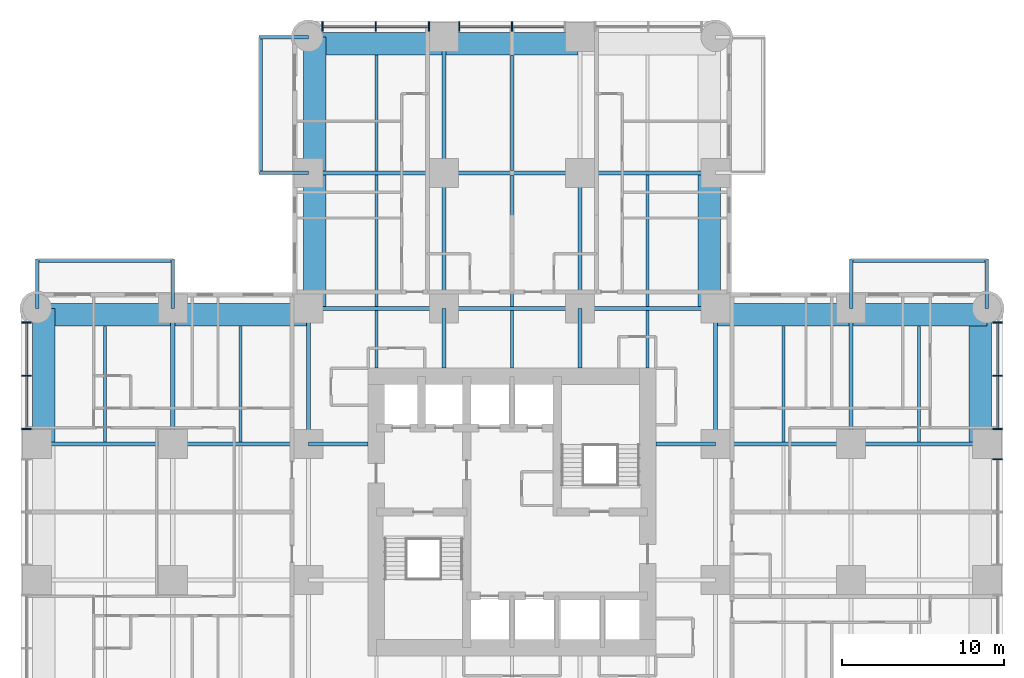
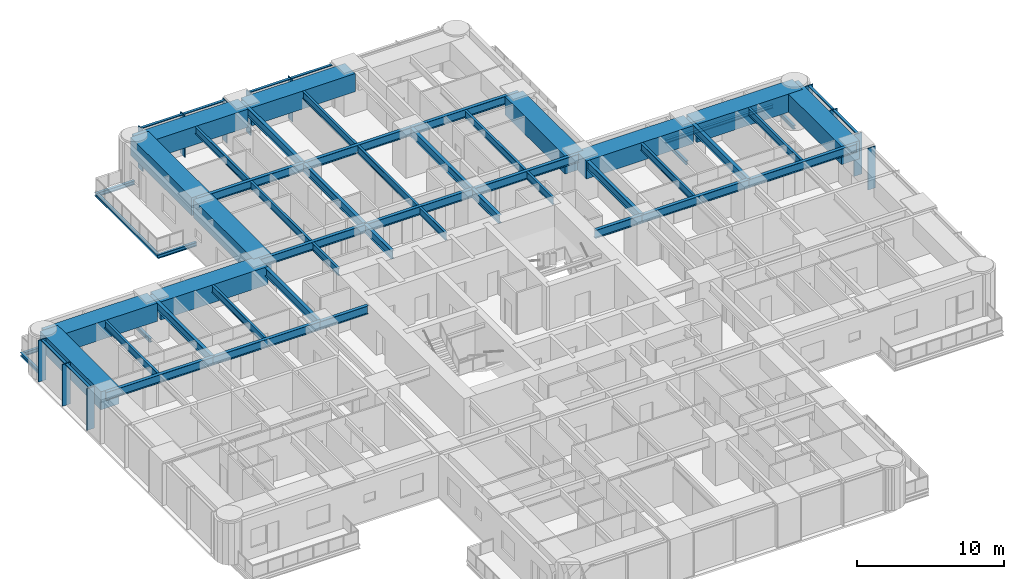
# One storey, part 4 of 17: 53 beams, 20 members, 3 elements without a shape of their own.
"""IFC4 building model written with IfcOpenShell, lengths in metres."""

import ifcopenshell
import ifcopenshell.guid

model = None  # the IFC model being written
_history = None  # IfcOwnerHistory: only IFC2X3 demands one
_inside = {}  # id of a spatial element -> (the spatial element, [elements in it])
_under = {}  # id of a project, library or spatial element -> (it, [spatial elements below it])
_declared = {}  # id of a project -> (the project, [libraries it declares])
_typed = {}  # id of a type object -> (the type object, [elements of that type])
_made_of = {}  # id of a material, layer set ... -> (it, [elements and type objects made of it])


def new_model(schema):
    """Start an empty IFC model of exactly this schema.

    Asked for "IFC4X3", IfcOpenShell would pick the latest addendum, in which some entities
    have other attributes; the version numbers below select the first issue.
    IFC2X3 requires an IfcOwnerHistory on every rooted entity: one is made here for all.
    """
    global model, _history
    if schema == "IFC4X3":
        model = ifcopenshell.file(schema_version=(4, 3, 0, 0))
    else:
        model = ifcopenshell.file(schema=schema)
    _inside.clear()
    _under.clear()
    _declared.clear()
    _typed.clear()
    _made_of.clear()
    _history = None
    if model.schema == "IFC2X3":
        org = make("IfcOrganization", Name="unknown")
        user = make(
            "IfcPersonAndOrganization",
            ThePerson=make("IfcPerson", FamilyName="unknown"),
            TheOrganization=org,
        )
        app = make(
            "IfcApplication",
            ApplicationDeveloper=org,
            Version="unknown",
            ApplicationFullName="unknown",
            ApplicationIdentifier="unknown",
        )
        _history = make(
            "IfcOwnerHistory",
            OwningUser=user,
            OwningApplication=app,
            ChangeAction="ADDED",
            CreationDate=0,
        )
    return model


def make(cls, **values):
    """One entity of the class cls with the attributes given. An attribute that is None is left unset."""
    return model.create_entity(
        cls, **{name: value for name, value in values.items() if value is not None}
    )


def rooted(cls, **values):
    """An entity with a GlobalId (a new one), such as an element, a storey or a relation."""
    return make(cls, GlobalId=ifcopenshell.guid.new(), OwnerHistory=_history, **values)


def si_unit(unit_type, name, prefix=None):
    """IfcSIUnit, for example si_unit("LENGTHUNIT", "METRE", prefix="MILLI")."""
    return make("IfcSIUnit", UnitType=unit_type, Prefix=prefix, Name=name)


def assignment(units):
    """IfcUnitAssignment: the units of a project."""
    return None if units is None else make("IfcUnitAssignment", Units=units)


def point(xyz):
    """IfcCartesianPoint."""
    return None if xyz is None else make("IfcCartesianPoint", Coordinates=xyz)


def direction(xyz):
    """IfcDirection."""
    return None if xyz is None else make("IfcDirection", DirectionRatios=xyz)


def frame(location, z_axis=None, x_axis=None):
    """IfcAxis2Placement3D, a coordinate frame: its origin and axes. An axis left out is left unset."""
    return make(
        "IfcAxis2Placement3D",
        Location=point(location),
        Axis=direction(z_axis),
        RefDirection=direction(x_axis),
    )


def frame_2d(location, x_axis=None):
    """IfcAxis2Placement2D, a coordinate frame in the plane: its origin and x axis."""
    return make(
        "IfcAxis2Placement2D", Location=point(location), RefDirection=direction(x_axis)
    )


def origin():
    """The frame at (0, 0, 0) with its axes left unset."""
    return frame((0.0, 0.0, 0.0))


def origin_2d():
    """The frame at (0, 0) in the plane with its x axis left unset."""
    return frame_2d((0.0, 0.0))


def place(relative_to, where):
    """IfcLocalPlacement: puts the frame where relative to a parent placement (None: the world)."""
    return make(
        "IfcLocalPlacement", PlacementRelTo=relative_to, RelativePlacement=where
    )


def context(
    kind, dimensions, precision=None, world=None, true_north=None, identifier=None
):
    """IfcGeometricRepresentationContext, for example the 3D "Model" context."""
    return make(
        "IfcGeometricRepresentationContext",
        ContextIdentifier=identifier,
        ContextType=kind,
        CoordinateSpaceDimension=dimensions,
        Precision=precision,
        WorldCoordinateSystem=world,
        TrueNorth=true_north,
    )


def subcontext(parent, identifier, kind, view, scale=None):
    """IfcGeometricRepresentationSubContext, for example "Body" below "Model"."""
    return make(
        "IfcGeometricRepresentationSubContext",
        ContextIdentifier=identifier,
        ContextType=kind,
        ParentContext=parent,
        TargetScale=scale,
        TargetView=view,
    )


def project(units=None, contexts=None):
    """IfcProject with its units and contexts."""
    return rooted(
        "IfcProject",
        Name="project",
        RepresentationContexts=contexts,
        UnitsInContext=assignment(units),
    )


def spatial(cls, under=None, at=None, **own):
    """A site, building, storey or space (cls), placed at a placement, below another one or the project."""
    s = rooted(cls, ObjectPlacement=at, **own)
    if under is not None:
        _under.setdefault(under.id(), (under, []))[1].append(s)
    return s


def profile(cls, at=None, kind="AREA", **sizes):
    """A parametric profile (cls). Its sizes go by their IFC names, for example OverallWidth=200.0."""
    return make(cls, ProfileType=kind, Position=at, **sizes)


def rectangle(**sizes):
    """IfcRectangleProfileDef."""
    return profile("IfcRectangleProfileDef", **sizes)


def i_section(**sizes):
    """IfcIShapeProfileDef."""
    return profile("IfcIShapeProfileDef", **sizes)


def extrude(swept, where, along, depth):
    """IfcExtrudedAreaSolid: the profile swept, set in the frame where, extruded along a direction by depth."""
    return make(
        "IfcExtrudedAreaSolid",
        SweptArea=swept,
        Position=where,
        ExtrudedDirection=direction(along),
        Depth=depth,
    )


def shape(context_of_items, identifier, shape_type, items):
    """IfcShapeRepresentation: the items that make up one representation, for example the "Body"."""
    return make(
        "IfcShapeRepresentation",
        ContextOfItems=context_of_items,
        RepresentationIdentifier=identifier,
        RepresentationType=shape_type,
        Items=items,
    )


def material(Name=None, Category=None):
    """IfcMaterial."""
    return make("IfcMaterial", Name=Name, Category=Category)


def material_profile(
    of_material, cross_section, Name=None, Category=None, Priority=None
):
    """IfcMaterialProfile: a cross section and its material."""
    return make(
        "IfcMaterialProfile",
        Name=Name,
        Material=of_material,
        Profile=cross_section,
        Priority=Priority,
        Category=Category,
    )


def profile_set(profiles, Name=None, composite=None):
    """IfcMaterialProfileSet."""
    return make(
        "IfcMaterialProfileSet",
        Name=Name,
        MaterialProfiles=profiles,
        CompositeProfile=composite,
    )


def made_of(thing, what):
    """Note that an element or type object is made of a material, layer set ...; save() writes the relation."""
    if what is not None:
        _made_of.setdefault(what.id(), (what, []))[1].append(thing)
    return thing


def type_object(cls, material=None, **own):
    """A type object (cls), such as IfcWallType, which elements share."""
    return made_of(rooted(cls, **own), material)


def element(
    cls,
    number,
    at=None,
    inside=None,
    cuts=None,
    type_object=None,
    material=None,
    context=None,
    identifier="Body",
    shape_type=None,
    held_by="IfcProductDefinitionShape",
    body=None,
    shapes=None,
    **own,
):
    """One element of the class cls, such as IfcWall. Its Tag is "e" and its number.

    at: its placement. inside: the storey or other place that contains it. cuts: it is an
    opening in that element (IfcRelVoidsElement). A single representation is given by context,
    identifier, shape_type and body (its items); several are given by shapes. held_by: the class
    of the entity that holds the representations. save() writes the other relations.
    """
    e = rooted(cls, Tag="e%d" % number, ObjectPlacement=at, **own)
    if body is not None:
        shapes = [shape(context, identifier, shape_type, body)]
    if shapes is not None:
        e.Representation = make(held_by, Representations=shapes)
    if inside is not None:
        _inside.setdefault(inside.id(), (inside, []))[1].append(e)
    if cuts is not None:
        rooted(
            "IfcRelVoidsElement", RelatingBuildingElement=cuts, RelatedOpeningElement=e
        )
    if type_object is not None:
        _typed.setdefault(type_object.id(), (type_object, []))[1].append(e)
    return made_of(e, material)


def aggregate(whole, parts):
    """IfcRelAggregates: a whole, such as a stair, and the parts it consists of."""
    return rooted("IfcRelAggregates", RelatingObject=whole, RelatedObjects=parts)


def save(model, path):
    """Write the relations noted so far, then the file.

    IfcRelAggregates (storeys below a building ...), IfcRelContainedInSpatialStructure (elements
    in a storey), IfcRelDefinesByType, IfcRelAssociatesMaterial and IfcRelDeclares: one each for
    every whole, place, type object, material and project.
    """
    for whole, parts in _under.values():
        aggregate(whole, parts)
    for where, things in _inside.values():
        rooted(
            "IfcRelContainedInSpatialStructure",
            RelatedElements=things,
            RelatingStructure=where,
        )
    for kind, things in _typed.values():
        rooted("IfcRelDefinesByType", RelatedObjects=things, RelatingType=kind)
    for what, things in _made_of.values():
        rooted("IfcRelAssociatesMaterial", RelatedObjects=things, RelatingMaterial=what)
    for by, libraries in _declared.values():
        rooted("IfcRelDeclares", RelatingContext=by, RelatedDefinitions=libraries)
    model.write(path)


model = new_model("IFC4")

# Units and contexts
model_context = context("Model", 3, precision=1e-05, world=origin(), true_north=direction((0.0, 1.0)))
body_context = subcontext(model_context, "Body", "Model", "MODEL_VIEW")
ifc_project = project(units=[si_unit("LENGTHUNIT", "METRE"), si_unit("AREAUNIT", "SQUARE_METRE"), si_unit("VOLUMEUNIT", "CUBIC_METRE"), si_unit("PLANEANGLEUNIT", "RADIAN"), si_unit("MASSUNIT", "GRAM", prefix="KILO")], contexts=[model_context])

# Site, building, storey
site_placement = place(None, origin())
site = spatial("IfcSite", under=ifc_project, at=site_placement, CompositionType="ELEMENT")
building_placement = place(site_placement, origin())
building = spatial("IfcBuilding", under=site, at=building_placement, Name="Torre Alcanfor", CompositionType="ELEMENT")
storey_placement = place(building_placement, frame((0.0, 0.0, 92.10009765625)))
storey = spatial("IfcBuildingStorey", under=building, at=storey_placement, Name="L23", CompositionType="ELEMENT", Elevation=92.10009765625)

# Beams
ifc_material_1 = material(Name="Steel ASTM A992 Grade 50", Category="steel")
ifc_material_profile_1 = material_profile(ifc_material_1, i_section(OverallWidth=0.205322265625, OverallDepth=0.309814453125, WebThickness=0.00927734375, FlangeThickness=0.016357421875, at=origin_2d()), Name="W12x50")
ifc_profile_set_1 = profile_set([ifc_material_profile_1], Name="Steel ASTM A992 Grade 50")
beam_type_1 = type_object("IfcBeamType", Name="Balcony cantilever beam W12x50", PredefinedType="BEAM", material=ifc_profile_set_1)
for number, where, z_axis, x_axis, name in (
    (1, (16.800048828125, 50.39990234375, -0.35498046875), (-1.0, 0.0, 0.0), (0.0, -1.0, 0.0), "Balcony cantilever beam L23-N1 1"),
    (2, (16.800048828125, 58.800048828125, -0.35498046875), (-1.0, 0.0, 0.0), (0.0, -1.0, 0.0), "Balcony cantilever beam L23-N1 2"),
    (3, (50.39990234375, 42.0, -0.35498046875), (0.0, 1.0, 0.0), (-1.0, 0.0, 0.0), "Balcony cantilever beam L23-E1 1"),
    (4, (58.800048828125, 42.0, -0.35498046875), (0.0, 1.0, 0.0), (-1.0, 0.0, 0.0), "Balcony cantilever beam L23-E1 2"),
    (5, (8.39990234375, 42.0, -0.35498046875), (0.0, 1.0, 0.0), (-1.0, 0.0, 0.0), "Balcony cantilever beam L23-W2 1"),
    (6, (0.0, 42.0, -0.35498046875), (0.0, 1.0, 0.0), (-1.0, 0.0, 0.0), "Balcony cantilever beam L23-W2 2"),
):
    element("IfcBeam", number, at=place(storey_placement, frame(where, z_axis=z_axis, x_axis=x_axis)), inside=storey, type_object=beam_type_1, Name=name, PredefinedType="BEAM", context=body_context, shape_type="SweptSolid", body=[
        extrude(i_section(OverallWidth=0.205322265625, OverallDepth=0.309814453125, WebThickness=0.00927734375, FlangeThickness=0.016357421875, at=origin_2d()), origin(), (0.0, 0.0, 1.0), 3.050048828125),
    ])
ifc_material_2 = material(Name="Steel ASTM A992 Grade 50", Category="steel")
ifc_material_profile_2 = material_profile(ifc_material_2, i_section(OverallWidth=0.203369140625, OverallDepth=0.30224609375, WebThickness=0.007568359375, FlangeThickness=0.01318359375, at=origin_2d()), Name="W12x40")
ifc_profile_set_2 = profile_set([ifc_material_profile_2], Name="Steel ASTM A992 Grade 50")
beam_type_2 = type_object("IfcBeamType", Name="Balcony edge trimmer W12x40", PredefinedType="BEAM", material=ifc_profile_set_2)
for number, where, z_axis, x_axis, name in (
    (7, (13.851806640625, 50.39990234375, -0.351318359375), (0.0, 1.0, 0.0), (-1.0, 0.0, 0.0), "Balcony edge trimmer L23-N1"),
    (8, (50.39990234375, 44.9482421875, -0.351318359375), (1.0, 0.0, 0.0), (0.0, 1.0, 0.0), "Balcony edge trimmer L23-E1"),
):
    element("IfcBeam", number, at=place(storey_placement, frame(where, z_axis=z_axis, x_axis=x_axis)), inside=storey, type_object=beam_type_2, Name=name, PredefinedType="BEAM", context=body_context, shape_type="SweptSolid", body=[
        extrude(i_section(OverallWidth=0.203369140625, OverallDepth=0.30224609375, WebThickness=0.007568359375, FlangeThickness=0.01318359375, at=origin_2d()), origin(), (0.0, 0.0, 1.0), 8.400146484375),
    ])
beam_1_placement = place(storey_placement, frame((8.39990234375, 44.9482421875, -0.351318359375), z_axis=(-1.0, 0.0, 0.0), x_axis=(0.0, -1.0, 0.0)))
element("IfcBeam", 9, at=beam_1_placement, inside=storey, type_object=beam_type_2, Name="Balcony edge trimmer L23-W2", PredefinedType="BEAM", context=body_context, shape_type="SweptSolid", body=[
    extrude(i_section(OverallWidth=0.203369140625, OverallDepth=0.30224609375, WebThickness=0.007568359375, FlangeThickness=0.01318359375, at=origin_2d()), origin(), (0.0, 0.0, 1.0), 8.39990234375),
])

# Curtain wall, members
ifc_material_3 = material(Name="Aluminium and glass", Category="aluminium")
curtain_wall_type = type_object("IfcCurtainWallType", Name="CW-A unitised apartment glazing with vertical FIN", PredefinedType="NOTDEFINED", material=ifc_material_3)
curtain_wall_1_placement = place(storey_placement, origin())
curtain_wall_1 = element("IfcCurtainWall", 10, at=curtain_wall_1_placement, inside=storey, type_object=curtain_wall_type, Name="Curtain wall CW-A L23 2", PredefinedType="NOTDEFINED")
ifc_material_4 = material(Name="Bronze anodised aluminium", Category="aluminium")
ifc_material_profile_3 = material_profile(ifc_material_4, rectangle(XDim=0.60009765625, YDim=0.06494140625, at=origin_2d()), Name="CW-A mullion 65x600")
ifc_profile_set_3 = profile_set([ifc_material_profile_3], Name="Bronze anodised aluminium")
member_type_1 = type_object("IfcMemberType", Name="CW-A mullion with vertical FIN 65x600", PredefinedType="MULLION", material=ifc_profile_set_3)
member_1_placement = place(storey_placement, frame((-0.64990234375, 41.133056640625, 0.0), z_axis=(0.0, 0.0, 1.0), x_axis=(1.0, 0.0, 0.0)))
member_1 = element("IfcMember", 11, at=member_1_placement, type_object=member_type_1, Name="CW-A mullion 1.1", PredefinedType="MULLION", context=body_context, shape_type="SweptSolid", body=[
    extrude(rectangle(XDim=0.60009765625, YDim=0.06494140625, at=origin_2d()), origin(), (0.0, 0.0, 1.0), 3.449951171875),
])
member_2_placement = place(storey_placement, frame((-0.64990234375, 37.835205078125, 0.0), z_axis=(0.0, 0.0, 1.0), x_axis=(1.0, 0.0, 0.0)))
member_2 = element("IfcMember", 12, at=member_2_placement, type_object=member_type_1, Name="CW-A mullion 1.2", PredefinedType="MULLION", context=body_context, shape_type="SweptSolid", body=[
    extrude(rectangle(XDim=0.60009765625, YDim=0.06494140625, at=origin_2d()), origin(), (0.0, 0.0, 1.0), 3.449951171875),
])
member_3_placement = place(storey_placement, frame((-0.64990234375, 34.53759765625, 0.0), z_axis=(0.0, 0.0, 1.0), x_axis=(1.0, 0.0, 0.0)))
member_3 = element("IfcMember", 13, at=member_3_placement, type_object=member_type_1, Name="CW-A mullion 1.3", PredefinedType="MULLION", context=body_context, shape_type="SweptSolid", body=[
    extrude(rectangle(XDim=0.60009765625, YDim=0.06494140625, at=origin_2d()), origin(), (0.0, 0.0, 1.0), 3.449951171875),
])

curtain_wall_2_placement = place(storey_placement, origin())
curtain_wall_2 = element("IfcCurtainWall", 14, at=curtain_wall_2_placement, inside=storey, type_object=curtain_wall_type, Name="Curtain wall CW-A L23 8", PredefinedType="NOTDEFINED")
member_4_placement = place(storey_placement, frame((59.449951171875, 32.66259765625, 0.0), z_axis=(0.0, 0.0, 1.0), x_axis=(-1.0, 0.0, 0.0)))
member_4 = element("IfcMember", 15, at=member_4_placement, type_object=member_type_1, Name="CW-A mullion 2.3", PredefinedType="MULLION", context=body_context, shape_type="SweptSolid", body=[
    extrude(rectangle(XDim=0.60009765625, YDim=0.06494140625, at=origin_2d()), origin(), (0.0, 0.0, 1.0), 3.449951171875),
])
member_5_placement = place(storey_placement, frame((59.449951171875, 34.53759765625, 0.0), z_axis=(0.0, 0.0, 1.0), x_axis=(-1.0, 0.0, 0.0)))
member_5 = element("IfcMember", 16, at=member_5_placement, type_object=member_type_1, Name="CW-A mullion 3.1", PredefinedType="MULLION", context=body_context, shape_type="SweptSolid", body=[
    extrude(rectangle(XDim=0.60009765625, YDim=0.06494140625, at=origin_2d()), origin(), (0.0, 0.0, 1.0), 3.449951171875),
])
member_6_placement = place(storey_placement, frame((59.449951171875, 37.835205078125, 0.0), z_axis=(0.0, 0.0, 1.0), x_axis=(-1.0, 0.0, 0.0)))
member_6 = element("IfcMember", 17, at=member_6_placement, type_object=member_type_1, Name="CW-A mullion 3.2", PredefinedType="MULLION", context=body_context, shape_type="SweptSolid", body=[
    extrude(rectangle(XDim=0.60009765625, YDim=0.06494140625, at=origin_2d()), origin(), (0.0, 0.0, 1.0), 3.449951171875),
])
member_7_placement = place(storey_placement, frame((59.449951171875, 41.133056640625, 0.0), z_axis=(0.0, 0.0, 1.0), x_axis=(-1.0, 0.0, 0.0)))
member_7 = element("IfcMember", 18, at=member_7_placement, type_object=member_type_1, Name="CW-A mullion 3.3", PredefinedType="MULLION", context=body_context, shape_type="SweptSolid", body=[
    extrude(rectangle(XDim=0.60009765625, YDim=0.06494140625, at=origin_2d()), origin(), (0.0, 0.0, 1.0), 3.449951171875),
])

curtain_wall_3_placement = place(storey_placement, origin())
curtain_wall_3 = element("IfcCurtainWall", 19, at=curtain_wall_3_placement, inside=storey, type_object=curtain_wall_type, Name="Curtain wall CW-A L23 11", PredefinedType="NOTDEFINED")
member_8_placement = place(storey_placement, frame((29.39990234375, 59.449951171875, 0.0), z_axis=(0.0, 0.0, 1.0), x_axis=(0.0, -1.0, 0.0)))
member_8 = element("IfcMember", 20, at=member_8_placement, type_object=member_type_1, Name="CW-A mullion 2.2", PredefinedType="MULLION", context=body_context, shape_type="SweptSolid", body=[
    extrude(rectangle(XDim=0.60009765625, YDim=0.06494140625, at=origin_2d()), origin(), (0.0, 0.0, 1.0), 3.449951171875),
])
member_9_placement = place(storey_placement, frame((26.137451171875, 59.449951171875, 0.0), z_axis=(0.0, 0.0, 1.0), x_axis=(0.0, -1.0, 0.0)))
member_9 = element("IfcMember", 21, at=member_9_placement, type_object=member_type_1, Name="CW-A mullion 2.3", PredefinedType="MULLION", context=body_context, shape_type="SweptSolid", body=[
    extrude(rectangle(XDim=0.60009765625, YDim=0.06494140625, at=origin_2d()), origin(), (0.0, 0.0, 1.0), 3.449951171875),
])
member_10_placement = place(storey_placement, frame((24.262451171875, 59.449951171875, 0.0), z_axis=(0.0, 0.0, 1.0), x_axis=(0.0, -1.0, 0.0)))
member_10 = element("IfcMember", 22, at=member_10_placement, type_object=member_type_1, Name="CW-A mullion 3.1", PredefinedType="MULLION", context=body_context, shape_type="SweptSolid", body=[
    extrude(rectangle(XDim=0.60009765625, YDim=0.06494140625, at=origin_2d()), origin(), (0.0, 0.0, 1.0), 3.449951171875),
])
member_11_placement = place(storey_placement, frame((20.96484375, 59.449951171875, 0.0), z_axis=(0.0, 0.0, 1.0), x_axis=(0.0, -1.0, 0.0)))
member_11 = element("IfcMember", 23, at=member_11_placement, type_object=member_type_1, Name="CW-A mullion 3.2", PredefinedType="MULLION", context=body_context, shape_type="SweptSolid", body=[
    extrude(rectangle(XDim=0.60009765625, YDim=0.06494140625, at=origin_2d()), origin(), (0.0, 0.0, 1.0), 3.449951171875),
])
member_12_placement = place(storey_placement, frame((17.6669921875, 59.449951171875, 0.0), z_axis=(0.0, 0.0, 1.0), x_axis=(0.0, -1.0, 0.0)))
member_12 = element("IfcMember", 24, at=member_12_placement, type_object=member_type_1, Name="CW-A mullion 3.3", PredefinedType="MULLION", context=body_context, shape_type="SweptSolid", body=[
    extrude(rectangle(XDim=0.60009765625, YDim=0.06494140625, at=origin_2d()), origin(), (0.0, 0.0, 1.0), 3.449951171875),
])

# Member
ifc_material_5 = material(Name="Extruded aluminium", Category="aluminium")
ifc_material_profile_4 = material_profile(ifc_material_5, rectangle(XDim=0.199951171875, YDim=0.06494140625, at=origin_2d()), Name="CW-A transom 200x65")
ifc_profile_set_4 = profile_set([ifc_material_profile_4], Name="Extruded aluminium")
member_type_2 = type_object("IfcMemberType", Name="CW-A transom 65x200", PredefinedType="USERDEFINED", material=ifc_profile_set_4)
member_13_placement = place(storey_placement, frame((-0.64990234375, 41.1005859375, 3.41748046875), z_axis=(0.0, -1.0, 0.0), x_axis=(1.0, 0.0, 0.0)))
member_13 = element("IfcMember", 25, at=member_13_placement, type_object=member_type_2, Name="CW-A transom 1.1.2", ObjectType="TRANSOM", PredefinedType="USERDEFINED", context=body_context, shape_type="SweptSolid", body=[
    extrude(rectangle(XDim=0.199951171875, YDim=0.06494140625, at=origin_2d()), origin(), (0.0, 0.0, 1.0), 3.23291015625),
])

member_14_placement = place(storey_placement, frame((-0.64990234375, 37.802734375, 3.41748046875), z_axis=(0.0, -1.0, 0.0), x_axis=(1.0, 0.0, 0.0)))
member_14 = element("IfcMember", 26, at=member_14_placement, type_object=member_type_2, Name="CW-A transom 1.2.2", ObjectType="TRANSOM", PredefinedType="USERDEFINED", context=body_context, shape_type="SweptSolid", body=[
    extrude(rectangle(XDim=0.199951171875, YDim=0.06494140625, at=origin_2d()), origin(), (0.0, 0.0, 1.0), 3.232666015625),
])

aggregate(curtain_wall_1, [member_1, member_2, member_3, member_13, member_14])

member_15_placement = place(storey_placement, frame((59.449951171875, 34.570068359375, 3.41748046875), z_axis=(0.0, 1.0, 0.0), x_axis=(-1.0, 0.0, 0.0)))
member_15 = element("IfcMember", 27, at=member_15_placement, type_object=member_type_2, Name="CW-A transom 3.1.2", ObjectType="TRANSOM", PredefinedType="USERDEFINED", context=body_context, shape_type="SweptSolid", body=[
    extrude(rectangle(XDim=0.199951171875, YDim=0.06494140625, at=origin_2d()), origin(), (0.0, 0.0, 1.0), 3.232666015625),
])

member_16_placement = place(storey_placement, frame((59.449951171875, 37.86767578125, 3.41748046875), z_axis=(0.0, 1.0, 0.0), x_axis=(-1.0, 0.0, 0.0)))
member_16 = element("IfcMember", 28, at=member_16_placement, type_object=member_type_2, Name="CW-A transom 3.2.2", ObjectType="TRANSOM", PredefinedType="USERDEFINED", context=body_context, shape_type="SweptSolid", body=[
    extrude(rectangle(XDim=0.199951171875, YDim=0.06494140625, at=origin_2d()), origin(), (0.0, 0.0, 1.0), 3.23291015625),
])

aggregate(curtain_wall_2, [member_4, member_5, member_6, member_7, member_15, member_16])

member_17_placement = place(storey_placement, frame((32.6298828125, 59.449951171875, 3.41748046875), z_axis=(-1.0, 0.0, 0.0), x_axis=(0.0, -1.0, 0.0)))
member_17 = element("IfcMember", 29, at=member_17_placement, type_object=member_type_2, Name="CW-A transom 2.1.2", ObjectType="TRANSOM", PredefinedType="USERDEFINED", context=body_context, shape_type="SweptSolid", body=[
    extrude(rectangle(XDim=0.199951171875, YDim=0.06494140625, at=origin_2d()), origin(), (0.0, 0.0, 1.0), 3.197265625),
])

member_18_placement = place(storey_placement, frame((29.367431640625, 59.449951171875, 3.41748046875), z_axis=(-1.0, 0.0, 0.0), x_axis=(0.0, -1.0, 0.0)))
member_18 = element("IfcMember", 30, at=member_18_placement, type_object=member_type_2, Name="CW-A transom 2.2.2", ObjectType="TRANSOM", PredefinedType="USERDEFINED", context=body_context, shape_type="SweptSolid", body=[
    extrude(rectangle(XDim=0.199951171875, YDim=0.06494140625, at=origin_2d()), origin(), (0.0, 0.0, 1.0), 3.197509765625),
])

member_19_placement = place(storey_placement, frame((24.22998046875, 59.449951171875, 3.41748046875), z_axis=(-1.0, 0.0, 0.0), x_axis=(0.0, -1.0, 0.0)))
member_19 = element("IfcMember", 31, at=member_19_placement, type_object=member_type_2, Name="CW-A transom 3.1.2", ObjectType="TRANSOM", PredefinedType="USERDEFINED", context=body_context, shape_type="SweptSolid", body=[
    extrude(rectangle(XDim=0.199951171875, YDim=0.06494140625, at=origin_2d()), origin(), (0.0, 0.0, 1.0), 3.232666015625),
])

member_20_placement = place(storey_placement, frame((20.93212890625, 59.449951171875, 3.41748046875), z_axis=(-1.0, 0.0, 0.0), x_axis=(0.0, -1.0, 0.0)))
member_20 = element("IfcMember", 32, at=member_20_placement, type_object=member_type_2, Name="CW-A transom 3.2.2", ObjectType="TRANSOM", PredefinedType="USERDEFINED", context=body_context, shape_type="SweptSolid", body=[
    extrude(rectangle(XDim=0.199951171875, YDim=0.06494140625, at=origin_2d()), origin(), (0.0, 0.0, 1.0), 3.232666015625),
])

aggregate(curtain_wall_3, [member_8, member_9, member_17, member_18, member_10, member_11, member_12, member_19, member_20])

# Beams
ifc_material_6 = material(Name="Steel ASTM A992 Grade 50", Category="steel")
ifc_material_profile_5 = material_profile(ifc_material_6, i_section(OverallWidth=0.25390625, OverallDepth=0.683349609375, WebThickness=0.012451171875, FlangeThickness=0.01904296875, at=origin_2d()), Name="W27x94")
ifc_profile_set_5 = profile_set([ifc_material_profile_5], Name="Steel ASTM A992 Grade 50")
beam_type_3 = type_object("IfcBeamType", Name="Girder W27x94", PredefinedType="BEAM", material=ifc_profile_set_5)
beam_2_placement = place(storey_placement, frame((0.0, 33.60009765625, 3.108154296875), z_axis=(1.0, 0.0, 0.0), x_axis=(0.0, 1.0, 0.0)))
element("IfcBeam", 33, at=beam_2_placement, inside=storey, type_object=beam_type_3, Name="Beam 1G-2G under L24", PredefinedType="BEAM", context=body_context, shape_type="SweptSolid", body=[
    extrude(i_section(OverallWidth=0.25390625, OverallDepth=0.683349609375, WebThickness=0.012451171875, FlangeThickness=0.01904296875, at=origin_2d()), origin(), (0.0, 0.0, 1.0), 8.39990234375),
])
beam_3_placement = place(storey_placement, frame((8.39990234375, 33.60009765625, 3.108154296875), z_axis=(1.0, 0.0, 0.0), x_axis=(0.0, 1.0, 0.0)))
element("IfcBeam", 34, at=beam_3_placement, inside=storey, type_object=beam_type_3, Name="Beam 2G-3G under L24", PredefinedType="BEAM", context=body_context, shape_type="SweptSolid", body=[
    extrude(i_section(OverallWidth=0.25390625, OverallDepth=0.683349609375, WebThickness=0.012451171875, FlangeThickness=0.01904296875, at=origin_2d()), origin(), (0.0, 0.0, 1.0), 8.400146484375),
])
beam_4_placement = place(storey_placement, frame((42.0, 33.60009765625, 3.108154296875), z_axis=(1.0, 0.0, 0.0), x_axis=(0.0, 1.0, 0.0)))
element("IfcBeam", 35, at=beam_4_placement, inside=storey, type_object=beam_type_3, Name="Beam 6G-7G under L24", PredefinedType="BEAM", context=body_context, shape_type="SweptSolid", body=[
    extrude(i_section(OverallWidth=0.25390625, OverallDepth=0.683349609375, WebThickness=0.012451171875, FlangeThickness=0.01904296875, at=origin_2d()), origin(), (0.0, 0.0, 1.0), 8.39990234375),
])
beam_5_placement = place(storey_placement, frame((50.39990234375, 33.60009765625, 3.108154296875), z_axis=(1.0, 0.0, 0.0), x_axis=(0.0, 1.0, 0.0)))
element("IfcBeam", 36, at=beam_5_placement, inside=storey, type_object=beam_type_3, Name="Beam 7G-8G under L24", PredefinedType="BEAM", context=body_context, shape_type="SweptSolid", body=[
    extrude(i_section(OverallWidth=0.25390625, OverallDepth=0.683349609375, WebThickness=0.012451171875, FlangeThickness=0.01904296875, at=origin_2d()), origin(), (0.0, 0.0, 1.0), 8.400146484375),
])
beam_6_placement = place(storey_placement, frame((16.800048828125, 42.0, 3.108154296875), z_axis=(1.0, 0.0, 0.0), x_axis=(0.0, 1.0, 0.0)))
element("IfcBeam", 37, at=beam_6_placement, inside=storey, type_object=beam_type_3, Name="Beam 3H-4H under L24", PredefinedType="BEAM", context=body_context, shape_type="SweptSolid", body=[
    extrude(i_section(OverallWidth=0.25390625, OverallDepth=0.683349609375, WebThickness=0.012451171875, FlangeThickness=0.01904296875, at=origin_2d()), origin(), (0.0, 0.0, 1.0), 8.39990234375),
])
beam_7_placement = place(storey_placement, frame((25.199951171875, 42.0, 3.108154296875), z_axis=(1.0, 0.0, 0.0), x_axis=(0.0, 1.0, 0.0)))
element("IfcBeam", 38, at=beam_7_placement, inside=storey, type_object=beam_type_3, Name="Beam 4H-5H under L24", PredefinedType="BEAM", context=body_context, shape_type="SweptSolid", body=[
    extrude(i_section(OverallWidth=0.25390625, OverallDepth=0.683349609375, WebThickness=0.012451171875, FlangeThickness=0.01904296875, at=origin_2d()), origin(), (0.0, 0.0, 1.0), 8.400146484375),
])
for number, where, z_axis, x_axis, name in (
    (39, (33.60009765625, 42.0, 3.108154296875), (1.0, 0.0, 0.0), (0.0, 1.0, 0.0), "Beam 5H-6H under L24"),
    (40, (16.800048828125, 50.39990234375, 3.108154296875), (1.0, 0.0, 0.0), (0.0, 1.0, 0.0), "Beam 3J-4J under L24"),
):
    element("IfcBeam", number, at=place(storey_placement, frame(where, z_axis=z_axis, x_axis=x_axis)), inside=storey, type_object=beam_type_3, Name=name, PredefinedType="BEAM", context=body_context, shape_type="SweptSolid", body=[
        extrude(i_section(OverallWidth=0.25390625, OverallDepth=0.683349609375, WebThickness=0.012451171875, FlangeThickness=0.01904296875, at=origin_2d()), origin(), (0.0, 0.0, 1.0), 8.39990234375),
    ])
beam_8_placement = place(storey_placement, frame((25.199951171875, 50.39990234375, 3.108154296875), z_axis=(1.0, 0.0, 0.0), x_axis=(0.0, 1.0, 0.0)))
element("IfcBeam", 41, at=beam_8_placement, inside=storey, type_object=beam_type_3, Name="Beam 4J-5J under L24", PredefinedType="BEAM", context=body_context, shape_type="SweptSolid", body=[
    extrude(i_section(OverallWidth=0.25390625, OverallDepth=0.683349609375, WebThickness=0.012451171875, FlangeThickness=0.01904296875, at=origin_2d()), origin(), (0.0, 0.0, 1.0), 8.400146484375),
])
for number, where, z_axis, x_axis, name in (
    (42, (33.60009765625, 50.39990234375, 3.108154296875), (1.0, 0.0, 0.0), (0.0, 1.0, 0.0), "Beam 5J-6J under L24"),
    (43, (8.39990234375, 33.60009765625, 3.108154296875), (0.0, 1.0, 0.0), (-1.0, 0.0, 0.0), "Beam 2G-2H under L24"),
    (44, (16.800048828125, 33.60009765625, 3.108154296875), (0.0, 1.0, 0.0), (-1.0, 0.0, 0.0), "Beam 3G-3H under L24"),
    (45, (25.199951171875, 42.0, 3.108154296875), (0.0, 1.0, 0.0), (-1.0, 0.0, 0.0), "Beam 4H-4J under L24"),
):
    element("IfcBeam", number, at=place(storey_placement, frame(where, z_axis=z_axis, x_axis=x_axis)), inside=storey, type_object=beam_type_3, Name=name, PredefinedType="BEAM", context=body_context, shape_type="SweptSolid", body=[
        extrude(i_section(OverallWidth=0.25390625, OverallDepth=0.683349609375, WebThickness=0.012451171875, FlangeThickness=0.01904296875, at=origin_2d()), origin(), (0.0, 0.0, 1.0), 8.39990234375),
    ])
beam_9_placement = place(storey_placement, frame((25.199951171875, 50.39990234375, 3.108154296875), z_axis=(0.0, 1.0, 0.0), x_axis=(-1.0, 0.0, 0.0)))
element("IfcBeam", 46, at=beam_9_placement, inside=storey, type_object=beam_type_3, Name="Beam 4J-4K under L24", PredefinedType="BEAM", context=body_context, shape_type="SweptSolid", body=[
    extrude(i_section(OverallWidth=0.25390625, OverallDepth=0.683349609375, WebThickness=0.012451171875, FlangeThickness=0.01904296875, at=origin_2d()), origin(), (0.0, 0.0, 1.0), 8.400146484375),
])
for number, where, z_axis, x_axis, name in (
    (47, (33.60009765625, 42.0, 3.108154296875), (0.0, 1.0, 0.0), (-1.0, 0.0, 0.0), "Beam 5H-5J under L24"),
    (48, (42.0, 33.60009765625, 3.108154296875), (0.0, 1.0, 0.0), (-1.0, 0.0, 0.0), "Beam 6G-6H under L24"),
    (49, (50.39990234375, 33.60009765625, 3.108154296875), (0.0, 1.0, 0.0), (-1.0, 0.0, 0.0), "Beam 7G-7H under L24"),
):
    element("IfcBeam", number, at=place(storey_placement, frame(where, z_axis=z_axis, x_axis=x_axis)), inside=storey, type_object=beam_type_3, Name=name, PredefinedType="BEAM", context=body_context, shape_type="SweptSolid", body=[
        extrude(i_section(OverallWidth=0.25390625, OverallDepth=0.683349609375, WebThickness=0.012451171875, FlangeThickness=0.01904296875, at=origin_2d()), origin(), (0.0, 0.0, 1.0), 8.39990234375),
    ])
ifc_material_7 = material(Name="Steel ASTM A992 Grade 50", Category="steel")
ifc_material_profile_6 = material_profile(ifc_material_7, i_section(OverallWidth=0.25390625, OverallDepth=0.683349609375, WebThickness=0.012451171875, FlangeThickness=0.01904296875, at=origin_2d()), Name="W27x94")
ifc_profile_set_6 = profile_set([ifc_material_profile_6], Name="Steel ASTM A992 Grade 50")
beam_type_4 = type_object("IfcBeamType", Name="Girder, part bay W27x94", PredefinedType="BEAM", material=ifc_profile_set_6)
for number, where, z_axis, x_axis, name in (
    (50, (25.199951171875, 42.0, 3.108154296875), (0.0, -1.0, 0.0), (1.0, 0.0, 0.0), "Beam 4H-438_3 under L24"),
    (51, (33.60009765625, 42.0, 3.108154296875), (0.0, -1.0, 0.0), (1.0, 0.0, 0.0), "Beam 5H-538_3 under L24"),
    (52, (16.800048828125, 33.60009765625, 3.108154296875), (1.0, 0.0, 0.0), (0.0, 1.0, 0.0), "Beam 3G-20_5G under L24"),
    (53, (42.0, 33.60009765625, 3.108154296875), (-1.0, 0.0, 0.0), (0.0, -1.0, 0.0), "Beam 6G-38_3G under L24"),
):
    element("IfcBeam", number, at=place(storey_placement, frame(where, z_axis=z_axis, x_axis=x_axis)), inside=storey, type_object=beam_type_4, Name=name, PredefinedType="BEAM", context=body_context, shape_type="SweptSolid", body=[
        extrude(i_section(OverallWidth=0.25390625, OverallDepth=0.683349609375, WebThickness=0.012451171875, FlangeThickness=0.01904296875, at=origin_2d()), origin(), (0.0, 0.0, 1.0), 3.699951171875),
    ])
ifc_material_8 = material(Name="Concrete f'c 70 MPa", Category="concrete")
ifc_material_profile_7 = material_profile(ifc_material_8, rectangle(XDim=1.39990234375, YDim=1.5, at=origin_2d()), Name="1400x1500")
ifc_profile_set_7 = profile_set([ifc_material_profile_7], Name="Concrete f'c 70 MPa")
beam_type_5 = type_object("IfcBeamType", Name="RC perimeter beam 1400x1500", PredefinedType="BEAM", material=ifc_profile_set_7)
beam_10_placement = place(storey_placement, frame((0.0, 41.60009765625, 2.699951171875), z_axis=(1.0, 0.0, 0.0), x_axis=(0.0, 1.0, 0.0)))
element("IfcBeam", 54, at=beam_10_placement, inside=storey, type_object=beam_type_5, Name="Beam 1H-2H under L24", PredefinedType="BEAM", context=body_context, shape_type="SweptSolid", body=[
    extrude(rectangle(XDim=1.39990234375, YDim=1.5, at=origin_2d()), origin(), (0.0, 0.0, 1.0), 8.27294921875),
])
for number, where, z_axis, x_axis, name in (
    (55, (8.527099609375, 41.60009765625, 2.699951171875), (1.0, 0.0, 0.0), (0.0, 1.0, 0.0), "Beam 2H-3H under L24"),
    (56, (41.873046875, 41.60009765625, 2.699951171875), (1.0, 0.0, 0.0), (0.0, 1.0, 0.0), "Beam 6H-7H under L24"),
):
    element("IfcBeam", number, at=place(storey_placement, frame(where, z_axis=z_axis, x_axis=x_axis)), inside=storey, type_object=beam_type_5, Name=name, PredefinedType="BEAM", context=body_context, shape_type="SweptSolid", body=[
        extrude(rectangle(XDim=1.39990234375, YDim=1.5, at=origin_2d()), origin(), (0.0, 0.0, 1.0), 8.39990234375),
    ])
for number, where, z_axis, x_axis, name in (
    (57, (50.527099609375, 41.60009765625, 2.699951171875), (1.0, 0.0, 0.0), (0.0, 1.0, 0.0), "Beam 7H-8H under L24"),
    (58, (16.800048828125, 58.39990234375, 2.699951171875), (1.0, 0.0, 0.0), (0.0, 1.0, 0.0), "Beam 3K-4K under L24"),
):
    element("IfcBeam", number, at=place(storey_placement, frame(where, z_axis=z_axis, x_axis=x_axis)), inside=storey, type_object=beam_type_5, Name=name, PredefinedType="BEAM", context=body_context, shape_type="SweptSolid", body=[
        extrude(rectangle(XDim=1.39990234375, YDim=1.5, at=origin_2d()), origin(), (0.0, 0.0, 1.0), 8.27294921875),
    ])
beam_11_placement = place(storey_placement, frame((25.326904296875, 58.39990234375, 2.699951171875), z_axis=(1.0, 0.0, 0.0), x_axis=(0.0, 1.0, 0.0)))
element("IfcBeam", 59, at=beam_11_placement, inside=storey, type_object=beam_type_5, Name="Beam 4K-5K under L24", PredefinedType="BEAM", context=body_context, shape_type="SweptSolid", body=[
    extrude(rectangle(XDim=1.39990234375, YDim=1.5, at=origin_2d()), origin(), (0.0, 0.0, 1.0), 8.14599609375),
])
beam_12_placement = place(storey_placement, frame((0.39990234375, 33.72705078125, 2.699951171875), z_axis=(0.0, 1.0, 0.0), x_axis=(-1.0, 0.0, 0.0)))
element("IfcBeam", 60, at=beam_12_placement, inside=storey, type_object=beam_type_5, Name="Beam 1G-1H under L24", PredefinedType="BEAM", context=body_context, shape_type="SweptSolid", body=[
    extrude(rectangle(XDim=1.39990234375, YDim=1.5, at=origin_2d()), origin(), (0.0, 0.0, 1.0), 8.27294921875),
])
beam_13_placement = place(storey_placement, frame((17.199951171875, 42.126953125, 2.699951171875), z_axis=(0.0, 1.0, 0.0), x_axis=(-1.0, 0.0, 0.0)))
element("IfcBeam", 61, at=beam_13_placement, inside=storey, type_object=beam_type_5, Name="Beam 3H-3J under L24", PredefinedType="BEAM", context=body_context, shape_type="SweptSolid", body=[
    extrude(rectangle(XDim=1.39990234375, YDim=1.5, at=origin_2d()), origin(), (0.0, 0.0, 1.0), 8.14599609375),
])
beam_14_placement = place(storey_placement, frame((17.199951171875, 50.527099609375, 2.699951171875), z_axis=(0.0, 1.0, 0.0), x_axis=(-1.0, 0.0, 0.0)))
element("IfcBeam", 62, at=beam_14_placement, inside=storey, type_object=beam_type_5, Name="Beam 3J-3K under L24", PredefinedType="BEAM", context=body_context, shape_type="SweptSolid", body=[
    extrude(rectangle(XDim=1.39990234375, YDim=1.5, at=origin_2d()), origin(), (0.0, 0.0, 1.0), 8.27294921875),
])
beam_15_placement = place(storey_placement, frame((41.60009765625, 42.126953125, 2.699951171875), z_axis=(0.0, 1.0, 0.0), x_axis=(-1.0, 0.0, 0.0)))
element("IfcBeam", 63, at=beam_15_placement, inside=storey, type_object=beam_type_5, Name="Beam 6H-6J under L24", PredefinedType="BEAM", context=body_context, shape_type="SweptSolid", body=[
    extrude(rectangle(XDim=1.39990234375, YDim=1.5, at=origin_2d()), origin(), (0.0, 0.0, 1.0), 8.14599609375),
])
beam_16_placement = place(storey_placement, frame((58.39990234375, 33.72705078125, 2.699951171875), z_axis=(0.0, 1.0, 0.0), x_axis=(-1.0, 0.0, 0.0)))
element("IfcBeam", 64, at=beam_16_placement, inside=storey, type_object=beam_type_5, Name="Beam 8G-8H under L24", PredefinedType="BEAM", context=body_context, shape_type="SweptSolid", body=[
    extrude(rectangle(XDim=1.39990234375, YDim=1.5, at=origin_2d()), origin(), (0.0, 0.0, 1.0), 8.27294921875),
])
ifc_material_9 = material(Name="Steel ASTM A992 Grade 50", Category="steel")
ifc_material_profile_8 = material_profile(ifc_material_9, i_section(OverallWidth=0.1787109375, OverallDepth=0.60205078125, WebThickness=0.010986328125, FlangeThickness=0.014892578125, at=origin_2d()), Name="W24x62")
ifc_profile_set_8 = profile_set([ifc_material_profile_8], Name="Steel ASTM A992 Grade 50")
beam_type_6 = type_object("IfcBeamType", Name="Secondary beam W24x62", PredefinedType="BEAM", material=ifc_profile_set_8)
for number, where, z_axis, x_axis, name in (
    (65, (4.199951171875, 33.72705078125, 3.14892578125), (0.0, 1.0, 0.0), (-1.0, 0.0, 0.0), "Beam 4_2G-4_2H under L24"),
    (66, (12.60009765625, 33.72705078125, 3.14892578125), (0.0, 1.0, 0.0), (-1.0, 0.0, 0.0), "Beam 12_6G-12_6H under L24"),
):
    element("IfcBeam", number, at=place(storey_placement, frame(where, z_axis=z_axis, x_axis=x_axis)), inside=storey, type_object=beam_type_6, Name=name, PredefinedType="BEAM", context=body_context, shape_type="SweptSolid", body=[
        extrude(i_section(OverallWidth=0.1787109375, OverallDepth=0.60205078125, WebThickness=0.010986328125, FlangeThickness=0.014892578125, at=origin_2d()), origin(), (0.0, 0.0, 1.0), 7.1728515625),
    ])
beam_17_placement = place(storey_placement, frame((21.0, 42.126953125, 3.14892578125), z_axis=(0.0, 1.0, 0.0), x_axis=(-1.0, 0.0, 0.0)))
element("IfcBeam", 67, at=beam_17_placement, inside=storey, type_object=beam_type_6, Name="Beam 21H-21J under L24", PredefinedType="BEAM", context=body_context, shape_type="SweptSolid", body=[
    extrude(i_section(OverallWidth=0.1787109375, OverallDepth=0.60205078125, WebThickness=0.010986328125, FlangeThickness=0.014892578125, at=origin_2d()), origin(), (0.0, 0.0, 1.0), 8.14599609375),
])
beam_18_placement = place(storey_placement, frame((21.0, 50.527099609375, 3.14892578125), z_axis=(0.0, 1.0, 0.0), x_axis=(-1.0, 0.0, 0.0)))
element("IfcBeam", 68, at=beam_18_placement, inside=storey, type_object=beam_type_6, Name="Beam 21J-21K under L24", PredefinedType="BEAM", context=body_context, shape_type="SweptSolid", body=[
    extrude(i_section(OverallWidth=0.1787109375, OverallDepth=0.60205078125, WebThickness=0.010986328125, FlangeThickness=0.014892578125, at=origin_2d()), origin(), (0.0, 0.0, 1.0), 7.1728515625),
])
beam_19_placement = place(storey_placement, frame((29.39990234375, 42.126953125, 3.14892578125), z_axis=(0.0, 1.0, 0.0), x_axis=(-1.0, 0.0, 0.0)))
element("IfcBeam", 69, at=beam_19_placement, inside=storey, type_object=beam_type_6, Name="Beam 29_4H-29_4J under L24", PredefinedType="BEAM", context=body_context, shape_type="SweptSolid", body=[
    extrude(i_section(OverallWidth=0.1787109375, OverallDepth=0.60205078125, WebThickness=0.010986328125, FlangeThickness=0.014892578125, at=origin_2d()), origin(), (0.0, 0.0, 1.0), 8.14599609375),
])
beam_20_placement = place(storey_placement, frame((29.39990234375, 50.527099609375, 3.14892578125), z_axis=(0.0, 1.0, 0.0), x_axis=(-1.0, 0.0, 0.0)))
element("IfcBeam", 70, at=beam_20_placement, inside=storey, type_object=beam_type_6, Name="Beam 29_4J-29_4K under L24", PredefinedType="BEAM", context=body_context, shape_type="SweptSolid", body=[
    extrude(i_section(OverallWidth=0.1787109375, OverallDepth=0.60205078125, WebThickness=0.010986328125, FlangeThickness=0.014892578125, at=origin_2d()), origin(), (0.0, 0.0, 1.0), 7.1728515625),
])
beam_21_placement = place(storey_placement, frame((37.800048828125, 42.126953125, 3.14892578125), z_axis=(0.0, 1.0, 0.0), x_axis=(-1.0, 0.0, 0.0)))
element("IfcBeam", 71, at=beam_21_placement, inside=storey, type_object=beam_type_6, Name="Beam 37_8H-37_8J under L24", PredefinedType="BEAM", context=body_context, shape_type="SweptSolid", body=[
    extrude(i_section(OverallWidth=0.1787109375, OverallDepth=0.60205078125, WebThickness=0.010986328125, FlangeThickness=0.014892578125, at=origin_2d()), origin(), (0.0, 0.0, 1.0), 8.14599609375),
])
for number, where, z_axis, x_axis, name in (
    (72, (46.199951171875, 33.72705078125, 3.14892578125), (0.0, 1.0, 0.0), (-1.0, 0.0, 0.0), "Beam 46_2G-46_2H under L24"),
    (73, (54.60009765625, 33.72705078125, 3.14892578125), (0.0, 1.0, 0.0), (-1.0, 0.0, 0.0), "Beam 54_6G-54_6H under L24"),
):
    element("IfcBeam", number, at=place(storey_placement, frame(where, z_axis=z_axis, x_axis=x_axis)), inside=storey, type_object=beam_type_6, Name=name, PredefinedType="BEAM", context=body_context, shape_type="SweptSolid", body=[
        extrude(i_section(OverallWidth=0.1787109375, OverallDepth=0.60205078125, WebThickness=0.010986328125, FlangeThickness=0.014892578125, at=origin_2d()), origin(), (0.0, 0.0, 1.0), 7.1728515625),
    ])
ifc_material_10 = material(Name="Steel ASTM A992 Grade 50", Category="steel")
ifc_material_profile_9 = material_profile(ifc_material_10, i_section(OverallWidth=0.1787109375, OverallDepth=0.60205078125, WebThickness=0.010986328125, FlangeThickness=0.014892578125, at=origin_2d()), Name="W24x62")
ifc_profile_set_9 = profile_set([ifc_material_profile_9], Name="Steel ASTM A992 Grade 50")
beam_type_7 = type_object("IfcBeamType", Name="Secondary beam, part bay W24x62", PredefinedType="BEAM", material=ifc_profile_set_9)
for number, where, z_axis, x_axis, name in (
    (74, (21.0, 38.300048828125, 3.14892578125), (0.0, 1.0, 0.0), (-1.0, 0.0, 0.0), "Beam 2138_3-21H under L24"),
    (75, (29.39990234375, 38.300048828125, 3.14892578125), (0.0, 1.0, 0.0), (-1.0, 0.0, 0.0), "Beam 29_438_3-29_4H under L24"),
    (76, (37.800048828125, 38.300048828125, 3.14892578125), (0.0, 1.0, 0.0), (-1.0, 0.0, 0.0), "Beam 37_838_3-37_8H under L24"),
):
    element("IfcBeam", number, at=place(storey_placement, frame(where, z_axis=z_axis, x_axis=x_axis)), inside=storey, type_object=beam_type_7, Name=name, PredefinedType="BEAM", context=body_context, shape_type="SweptSolid", body=[
        extrude(i_section(OverallWidth=0.1787109375, OverallDepth=0.60205078125, WebThickness=0.010986328125, FlangeThickness=0.014892578125, at=origin_2d()), origin(), (0.0, 0.0, 1.0), 3.572998046875),
    ])

save(model, "model.ifc")
